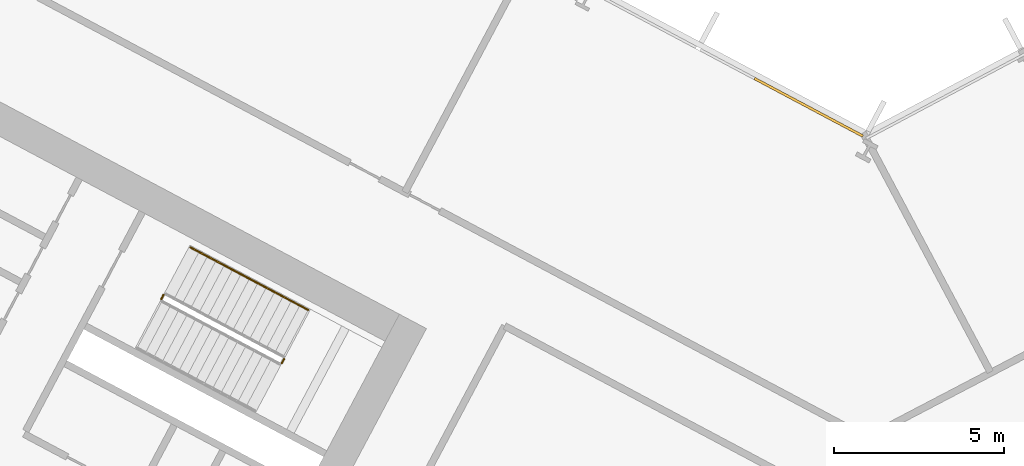
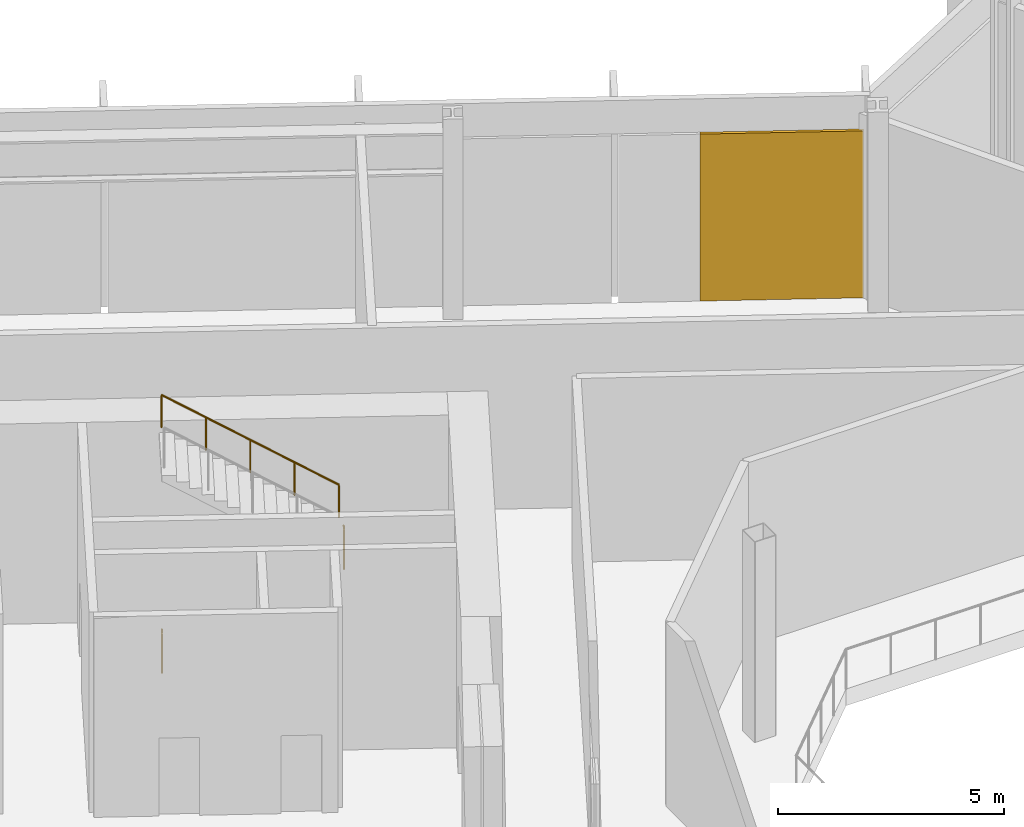
# One storey, part 25 of 31: 3 railings, 1 covering, 1 element without a shape of its own.
"""IFC4 building model written with IfcOpenShell, lengths in metres."""

import ifcopenshell
import ifcopenshell.guid

model = None  # the IFC model being written
_history = None  # IfcOwnerHistory: only IFC2X3 demands one
_inside = {}  # id of a spatial element -> (the spatial element, [elements in it])
_under = {}  # id of a project, library or spatial element -> (it, [spatial elements below it])
_declared = {}  # id of a project -> (the project, [libraries it declares])
_typed = {}  # id of a type object -> (the type object, [elements of that type])
_made_of = {}  # id of a material, layer set ... -> (it, [elements and type objects made of it])


def new_model(schema):
    """Start an empty IFC model of exactly this schema.

    Asked for "IFC4X3", IfcOpenShell would pick the latest addendum, in which some entities
    have other attributes; the version numbers below select the first issue.
    IFC2X3 requires an IfcOwnerHistory on every rooted entity: one is made here for all.
    """
    global model, _history
    if schema == "IFC4X3":
        model = ifcopenshell.file(schema_version=(4, 3, 0, 0))
    else:
        model = ifcopenshell.file(schema=schema)
    _inside.clear()
    _under.clear()
    _declared.clear()
    _typed.clear()
    _made_of.clear()
    _history = None
    if model.schema == "IFC2X3":
        org = make("IfcOrganization", Name="unknown")
        user = make(
            "IfcPersonAndOrganization",
            ThePerson=make("IfcPerson", FamilyName="unknown"),
            TheOrganization=org,
        )
        app = make(
            "IfcApplication",
            ApplicationDeveloper=org,
            Version="unknown",
            ApplicationFullName="unknown",
            ApplicationIdentifier="unknown",
        )
        _history = make(
            "IfcOwnerHistory",
            OwningUser=user,
            OwningApplication=app,
            ChangeAction="ADDED",
            CreationDate=0,
        )
    return model


def make(cls, **values):
    """One entity of the class cls with the attributes given. An attribute that is None is left unset."""
    return model.create_entity(
        cls, **{name: value for name, value in values.items() if value is not None}
    )


def rooted(cls, **values):
    """An entity with a GlobalId (a new one), such as an element, a storey or a relation."""
    return make(cls, GlobalId=ifcopenshell.guid.new(), OwnerHistory=_history, **values)


def si_unit(unit_type, name, prefix=None):
    """IfcSIUnit, for example si_unit("LENGTHUNIT", "METRE", prefix="MILLI")."""
    return make("IfcSIUnit", UnitType=unit_type, Prefix=prefix, Name=name)


def assignment(units):
    """IfcUnitAssignment: the units of a project."""
    return None if units is None else make("IfcUnitAssignment", Units=units)


def point(xyz):
    """IfcCartesianPoint."""
    return None if xyz is None else make("IfcCartesianPoint", Coordinates=xyz)


def direction(xyz):
    """IfcDirection."""
    return None if xyz is None else make("IfcDirection", DirectionRatios=xyz)


def frame(location, z_axis=None, x_axis=None):
    """IfcAxis2Placement3D, a coordinate frame: its origin and axes. An axis left out is left unset."""
    return make(
        "IfcAxis2Placement3D",
        Location=point(location),
        Axis=direction(z_axis),
        RefDirection=direction(x_axis),
    )


def frame_2d(location, x_axis=None):
    """IfcAxis2Placement2D, a coordinate frame in the plane: its origin and x axis."""
    return make(
        "IfcAxis2Placement2D", Location=point(location), RefDirection=direction(x_axis)
    )


def origin():
    """The frame at (0, 0, 0) with its axes left unset."""
    return frame((0.0, 0.0, 0.0))


def origin_2d():
    """The frame at (0, 0) in the plane with its x axis left unset."""
    return frame_2d((0.0, 0.0))


def place(relative_to, where):
    """IfcLocalPlacement: puts the frame where relative to a parent placement (None: the world)."""
    return make(
        "IfcLocalPlacement", PlacementRelTo=relative_to, RelativePlacement=where
    )


def context(
    kind, dimensions, precision=None, world=None, true_north=None, identifier=None
):
    """IfcGeometricRepresentationContext, for example the 3D "Model" context."""
    return make(
        "IfcGeometricRepresentationContext",
        ContextIdentifier=identifier,
        ContextType=kind,
        CoordinateSpaceDimension=dimensions,
        Precision=precision,
        WorldCoordinateSystem=world,
        TrueNorth=true_north,
    )


def subcontext(parent, identifier, kind, view, scale=None):
    """IfcGeometricRepresentationSubContext, for example "Body" below "Model"."""
    return make(
        "IfcGeometricRepresentationSubContext",
        ContextIdentifier=identifier,
        ContextType=kind,
        ParentContext=parent,
        TargetScale=scale,
        TargetView=view,
    )


def project(units=None, contexts=None):
    """IfcProject with its units and contexts."""
    return rooted(
        "IfcProject",
        Name="project",
        RepresentationContexts=contexts,
        UnitsInContext=assignment(units),
    )


def spatial(cls, under=None, at=None, **own):
    """A site, building, storey or space (cls), placed at a placement, below another one or the project."""
    s = rooted(cls, ObjectPlacement=at, **own)
    if under is not None:
        _under.setdefault(under.id(), (under, []))[1].append(s)
    return s


def polyline(points):
    """IfcPolyline through the points."""
    return make("IfcPolyline", Points=[point(p) for p in points])


def profile(cls, at=None, kind="AREA", **sizes):
    """A parametric profile (cls). Its sizes go by their IFC names, for example OverallWidth=200.0."""
    return make(cls, ProfileType=kind, Position=at, **sizes)


def rectangle(**sizes):
    """IfcRectangleProfileDef."""
    return profile("IfcRectangleProfileDef", **sizes)


def outline(outer, holes=None, kind="AREA"):
    """IfcArbitraryClosedProfileDef: a profile drawn as a closed curve; with holes, ...WithVoids."""
    if holes is None:
        return make("IfcArbitraryClosedProfileDef", ProfileType=kind, OuterCurve=outer)
    return make(
        "IfcArbitraryProfileDefWithVoids",
        ProfileType=kind,
        OuterCurve=outer,
        InnerCurves=holes,
    )


def extrude(swept, where, along, depth):
    """IfcExtrudedAreaSolid: the profile swept, set in the frame where, extruded along a direction by depth."""
    return make(
        "IfcExtrudedAreaSolid",
        SweptArea=swept,
        Position=where,
        ExtrudedDirection=direction(along),
        Depth=depth,
    )


def shape(context_of_items, identifier, shape_type, items):
    """IfcShapeRepresentation: the items that make up one representation, for example the "Body"."""
    return make(
        "IfcShapeRepresentation",
        ContextOfItems=context_of_items,
        RepresentationIdentifier=identifier,
        RepresentationType=shape_type,
        Items=items,
    )


def material(Name=None, Category=None):
    """IfcMaterial."""
    return make("IfcMaterial", Name=Name, Category=Category)


def layer(
    of_material, thickness, ventilated=None, Name=None, Category=None, Priority=None
):
    """IfcMaterialLayer: one layer of a wall or slab, of a material (None: an air gap)."""
    return make(
        "IfcMaterialLayer",
        Material=of_material,
        LayerThickness=thickness,
        IsVentilated=ventilated,
        Name=Name,
        Category=Category,
        Priority=Priority,
    )


def layer_set(layers, Name=None):
    """IfcMaterialLayerSet."""
    return make("IfcMaterialLayerSet", MaterialLayers=layers, LayerSetName=Name)


def made_of(thing, what):
    """Note that an element or type object is made of a material, layer set ...; save() writes the relation."""
    if what is not None:
        _made_of.setdefault(what.id(), (what, []))[1].append(thing)
    return thing


def type_object(cls, material=None, **own):
    """A type object (cls), such as IfcWallType, which elements share."""
    return made_of(rooted(cls, **own), material)


def element(
    cls,
    number,
    at=None,
    inside=None,
    cuts=None,
    type_object=None,
    material=None,
    context=None,
    identifier="Body",
    shape_type=None,
    held_by="IfcProductDefinitionShape",
    body=None,
    shapes=None,
    **own,
):
    """One element of the class cls, such as IfcWall. Its Tag is "e" and its number.

    at: its placement. inside: the storey or other place that contains it. cuts: it is an
    opening in that element (IfcRelVoidsElement). A single representation is given by context,
    identifier, shape_type and body (its items); several are given by shapes. held_by: the class
    of the entity that holds the representations. save() writes the other relations.
    """
    e = rooted(cls, Tag="e%d" % number, ObjectPlacement=at, **own)
    if body is not None:
        shapes = [shape(context, identifier, shape_type, body)]
    if shapes is not None:
        e.Representation = make(held_by, Representations=shapes)
    if inside is not None:
        _inside.setdefault(inside.id(), (inside, []))[1].append(e)
    if cuts is not None:
        rooted(
            "IfcRelVoidsElement", RelatingBuildingElement=cuts, RelatedOpeningElement=e
        )
    if type_object is not None:
        _typed.setdefault(type_object.id(), (type_object, []))[1].append(e)
    return made_of(e, material)


def aggregate(whole, parts):
    """IfcRelAggregates: a whole, such as a stair, and the parts it consists of."""
    return rooted("IfcRelAggregates", RelatingObject=whole, RelatedObjects=parts)


def save(model, path):
    """Write the relations noted so far, then the file.

    IfcRelAggregates (storeys below a building ...), IfcRelContainedInSpatialStructure (elements
    in a storey), IfcRelDefinesByType, IfcRelAssociatesMaterial and IfcRelDeclares: one each for
    every whole, place, type object, material and project.
    """
    for whole, parts in _under.values():
        aggregate(whole, parts)
    for where, things in _inside.values():
        rooted(
            "IfcRelContainedInSpatialStructure",
            RelatedElements=things,
            RelatingStructure=where,
        )
    for kind, things in _typed.values():
        rooted("IfcRelDefinesByType", RelatedObjects=things, RelatingType=kind)
    for what, things in _made_of.values():
        rooted("IfcRelAssociatesMaterial", RelatedObjects=things, RelatingMaterial=what)
    for by, libraries in _declared.values():
        rooted("IfcRelDeclares", RelatingContext=by, RelatedDefinitions=libraries)
    model.write(path)


model = new_model("IFC4")

# Units and contexts
model_context = context("Model", 3, precision=1e-05, world=origin(), true_north=direction((0.0, 1.0)))
body_context = subcontext(model_context, "Body", "Model", "MODEL_VIEW")
ifc_project = project(units=[si_unit("LENGTHUNIT", "METRE"), si_unit("AREAUNIT", "SQUARE_METRE"), si_unit("VOLUMEUNIT", "CUBIC_METRE"), si_unit("PLANEANGLEUNIT", "RADIAN"), si_unit("MASSUNIT", "GRAM", prefix="KILO")], contexts=[model_context])

# Site, building, storey
site_placement = place(None, origin())
site = spatial("IfcSite", under=ifc_project, at=site_placement, CompositionType="ELEMENT")
building_placement = place(site_placement, origin())
building = spatial("IfcBuilding", under=site, at=building_placement, Name="Cormorant Relay Tower", CompositionType="ELEMENT")
storey_placement = place(building_placement, frame((0.0, 0.0, 12.199951171875)))
storey = spatial("IfcBuildingStorey", under=building, at=storey_placement, Name="L02", CompositionType="ELEMENT", Elevation=12.199951171875)

# Curtain wall, covering
ifc_material_1 = material(Name="Aluminium 6063-T6 anodised bronze", Category="aluminium")
ifc_layer_1 = layer(ifc_material_1, 0.235107421875)
ifc_layer_set_1 = layer_set([ifc_layer_1], Name="CW6 data hall curtain wall with mineral wool panels")
curtain_wall_type = type_object("IfcCurtainWallType", Name="CW6 data hall curtain wall with mineral wool panels", PredefinedType="NOTDEFINED", material=ifc_layer_set_1)
curtain_wall_placement = place(storey_placement, origin())
curtain_wall = element("IfcCurtainWall", 1, at=curtain_wall_placement, inside=storey, type_object=curtain_wall_type, Name="CW6 curtain wall 7", PredefinedType="NOTDEFINED")
ifc_material_2 = material(Name="Mineral wool cored anodised bronze aluminium cassette panel", Category="aluminium")
ifc_layer_2 = layer(ifc_material_2, 0.074951171875)
ifc_layer_set_2 = layer_set([ifc_layer_2], Name="CW6 mineral wool cassette panel 75")
covering_type = type_object("IfcCoveringType", Name="CW6 mineral wool cassette panel 75", PredefinedType="CLADDING", material=ifc_layer_set_2)
covering_placement = place(storey_placement, frame((-1.710205078125, 24.73583984375, 0.0), z_axis=(0.0, 0.0, 1.0), x_axis=(-0.882947592859, 0.469471562786, 0.0)))
covering = element("IfcCovering", 2, at=covering_placement, type_object=covering_type, Name="CW6 panel S00", PredefinedType="CLADDING", context=body_context, shape_type="SweptSolid", body=[
    extrude(rectangle(XDim=3.614013671875, YDim=0.074951171875, at=origin_2d()), origin(), (0.0, 0.0, 1.0), 4.5),
])
aggregate(curtain_wall, [covering])

# Railings
ifc_material_3 = material(Name="Steel ASTM A572 Grade 50 (Fy 345 MPa)", Category="steel")
railing_type_1 = type_object("IfcRailingType", Name="Stair guard 1100", PredefinedType="GUARDRAIL", material=ifc_material_3)
railing_1_placement = place(storey_placement, frame((-17.2216796875, 17.1982421875, 2.699951171875)))
element("IfcRailing", 3, at=railing_1_placement, inside=storey, type_object=railing_type_1, Name="L02 A1 stair guard 2", PredefinedType="GUARDRAIL", context=body_context, shape_type="SweptSolid", body=[
    extrude(outline(polyline([(0.022216796875, 0.00927734375), (0.00927734375, 0.022216796875), (-0.00927734375, 0.022216796875), (-0.022216796875, 0.00927734375), (-0.022216796875, -0.00927734375), (-0.00927734375, -0.022216796875), (0.00927734375, -0.022216796875), (0.022216796875, -0.00927734375), (0.022216796875, 0.00927734375)])), frame((0.0, 0.0, 1.076171875), z_axis=(0.469234640946, 0.883073525669, 0.0), x_axis=(-0.883073525669, 0.469234640946, 0.0)), (0.0, 0.0, 1.0), 0.14990234375),
    extrude(outline(polyline([(0.019287109375, 0.008056640625), (0.008056640625, 0.019287109375), (-0.008056640625, 0.019287109375), (-0.019287109375, 0.008056640625), (-0.019287109375, -0.008056640625), (-0.008056640625, -0.019287109375), (0.008056640625, -0.019287109375), (0.019287109375, -0.008056640625), (0.019287109375, 0.008056640625)])), origin(), (0.0, 0.0, 1.0), 1.052001953125),
    extrude(outline(polyline([(0.019287109375, 0.008056640625), (0.008056640625, 0.019287109375), (-0.008056640625, 0.019287109375), (-0.019287109375, 0.008056640625), (-0.019287109375, -0.008056640625), (-0.008056640625, -0.019287109375), (0.008056640625, -0.019287109375), (0.019287109375, -0.008056640625), (0.019287109375, 0.008056640625)])), frame((0.0703125, 0.13232421875, 0.0)), (0.0, 0.0, 1.0), 1.052001953125),
])
railing_2_placement = place(storey_placement, frame((-20.771240234375, 19.08544921875, 0.0)))
element("IfcRailing", 4, at=railing_2_placement, inside=storey, type_object=railing_type_1, Name="L02 A1 stair guard 4", PredefinedType="GUARDRAIL", context=body_context, shape_type="SweptSolid", body=[
    extrude(outline(polyline([(0.022216796875, 0.00927734375), (0.00927734375, 0.022216796875), (-0.00927734375, 0.022216796875), (-0.022216796875, 0.00927734375), (-0.022216796875, -0.00927734375), (-0.00927734375, -0.022216796875), (0.00927734375, -0.022216796875), (0.022216796875, -0.00927734375), (0.022216796875, 0.00927734375)])), frame((0.0, 0.0, 1.076171875), z_axis=(0.469828648786, 0.882757634224, 0.0), x_axis=(-0.882757634224, 0.469828648786, 0.0)), (0.0, 0.0, 1.0), 0.150146484375),
    extrude(outline(polyline([(0.019287109375, 0.008056640625), (0.008056640625, 0.019287109375), (-0.008056640625, 0.019287109375), (-0.019287109375, 0.008056640625), (-0.019287109375, -0.008056640625), (-0.008056640625, -0.019287109375), (0.008056640625, -0.019287109375), (0.019287109375, -0.008056640625), (0.019287109375, 0.008056640625)])), origin(), (0.0, 0.0, 1.0), 1.052001953125),
    extrude(outline(polyline([(0.019287109375, 0.008056640625), (0.008056640625, 0.019287109375), (-0.008056640625, 0.019287109375), (-0.019287109375, 0.008056640625), (-0.019287109375, -0.008056640625), (-0.008056640625, -0.019287109375), (0.008056640625, -0.019287109375), (0.019287109375, -0.008056640625), (0.019287109375, 0.008056640625)])), frame((0.070556640625, 0.132568359375, 0.0)), (0.0, 0.0, 1.0), 1.052001953125),
])
ifc_material_4 = material(Name="Steel ASTM A572 Grade 50 (Fy 345 MPa)", Category="steel")
railing_type_2 = type_object("IfcRailingType", Name="Stair handrail 900", PredefinedType="HANDRAIL", material=ifc_material_4)
railing_3_placement = place(storey_placement, frame((-16.4443359375, 18.766845703125, 2.880126953125)))
element("IfcRailing", 5, at=railing_3_placement, inside=storey, type_object=railing_type_2, Name="L02 A1 stair handrail 2", PredefinedType="HANDRAIL", context=body_context, shape_type="SweptSolid", body=[
    extrude(outline(polyline([(0.022216796875, 0.00927734375), (0.00927734375, 0.022216796875), (-0.00927734375, 0.022216796875), (-0.022216796875, 0.00927734375), (-0.022216796875, -0.00927734375), (-0.00927734375, -0.022216796875), (0.00927734375, -0.022216796875), (0.022216796875, -0.00927734375), (0.022216796875, 0.00927734375)])), frame((0.0, 0.0, 0.8759765625), z_axis=(-0.74271721126, 0.394907409077, 0.540758062681), x_axis=(-0.469469396681, -0.882948744594, 0.0)), (0.0, 0.0, 1.0), 4.66015625),
    extrude(outline(polyline([(0.019287109375, 0.008056640625), (0.008056640625, 0.019287109375), (-0.008056640625, 0.019287109375), (-0.019287109375, 0.008056640625), (-0.019287109375, -0.008056640625), (-0.008056640625, -0.019287109375), (0.008056640625, -0.019287109375), (0.019287109375, -0.008056640625), (0.019287109375, 0.008056640625)])), origin(), (0.0, 0.0, 1.0), 0.851806640625),
    extrude(outline(polyline([(0.019287109375, 0.008056640625), (0.008056640625, 0.019287109375), (-0.008056640625, 0.019287109375), (-0.019287109375, 0.008056640625), (-0.019287109375, -0.008056640625), (-0.008056640625, -0.019287109375), (0.008056640625, -0.019287109375), (0.019287109375, -0.008056640625), (0.019287109375, 0.008056640625)])), frame((-0.865234375, 0.4599609375, 0.6298828125)), (0.0, 0.0, 1.0), 0.851806640625),
    extrude(outline(polyline([(0.019287109375, 0.008056640625), (0.008056640625, 0.019287109375), (-0.008056640625, 0.019287109375), (-0.019287109375, 0.008056640625), (-0.019287109375, -0.008056640625), (-0.008056640625, -0.019287109375), (0.008056640625, -0.019287109375), (0.019287109375, -0.008056640625), (0.019287109375, 0.008056640625)])), frame((-1.73046875, 0.920166015625, 1.260009765625)), (0.0, 0.0, 1.0), 0.851806640625),
    extrude(outline(polyline([(0.019287109375, 0.008056640625), (0.008056640625, 0.019287109375), (-0.008056640625, 0.019287109375), (-0.019287109375, 0.008056640625), (-0.019287109375, -0.008056640625), (-0.008056640625, -0.019287109375), (0.008056640625, -0.019287109375), (0.019287109375, -0.008056640625), (0.019287109375, 0.008056640625)])), frame((-2.595947265625, 1.38037109375, 1.89013671875)), (0.0, 0.0, 1.0), 0.851806640625),
    extrude(outline(polyline([(0.019287109375, 0.008056640625), (0.008056640625, 0.019287109375), (-0.008056640625, 0.019287109375), (-0.019287109375, 0.008056640625), (-0.019287109375, -0.008056640625), (-0.008056640625, -0.019287109375), (0.008056640625, -0.019287109375), (0.019287109375, -0.008056640625), (0.019287109375, 0.008056640625)])), frame((-3.461181640625, 1.84033203125, 2.52001953125)), (0.0, 0.0, 1.0), 0.851806640625),
])

save(model, "model.ifc")
